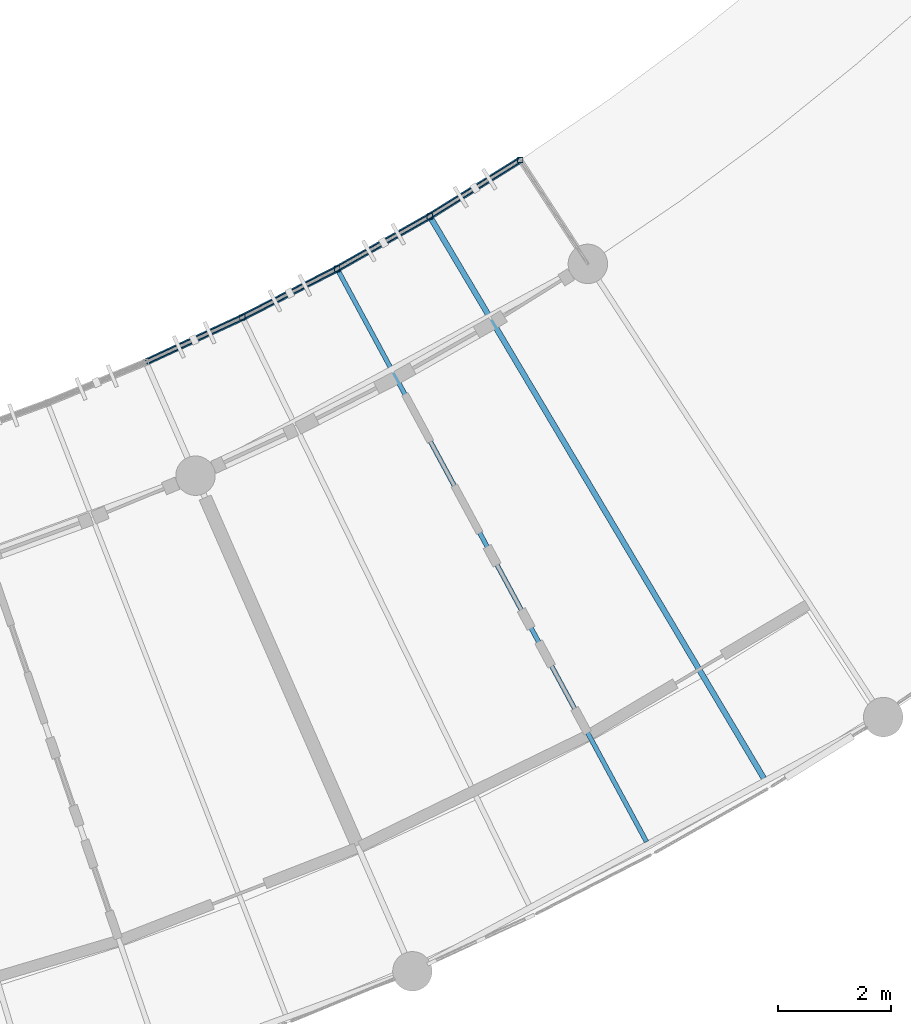
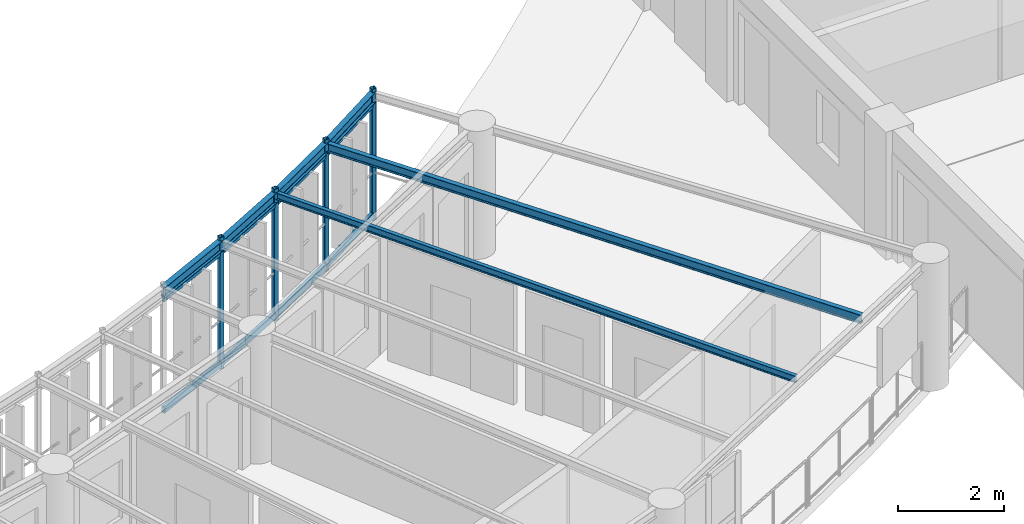
# One storey, part 32 of 137: 12 members, 6 beams.
"""IFC4 building model written with IfcOpenShell, lengths in metres."""

from ifc_helpers import new_model, si_unit, direction, frame, origin, origin_2d, place, context, subcontext, project, spatial, hollow_rectangle, i_section, extrude, material, material_profile, profile_set, type_object, element, save


model = new_model("IFC4")

# Units and contexts
model_context = context("Model", 3, precision=1e-05, world=origin(), true_north=direction((0.0, 1.0)))
body_context = subcontext(model_context, "Body", "Model", "MODEL_VIEW")
ifc_project = project(units=[si_unit("LENGTHUNIT", "METRE"), si_unit("AREAUNIT", "SQUARE_METRE"), si_unit("VOLUMEUNIT", "CUBIC_METRE"), si_unit("PLANEANGLEUNIT", "RADIAN"), si_unit("MASSUNIT", "GRAM", prefix="KILO"), si_unit("POWERUNIT", "WATT"), si_unit("THERMODYNAMICTEMPERATUREUNIT", "KELVIN")], contexts=[model_context])

# Site, building, storey
site_placement = place(None, origin())
site = spatial("IfcSite", under=ifc_project, at=site_placement, CompositionType="ELEMENT")
building_placement = place(site_placement, origin())
building = spatial("IfcBuilding", under=site, at=building_placement, Name="Ruvembo Vaulted Housing Court", CompositionType="ELEMENT")
storey_placement = place(building_placement, frame((0.0, 0.0, 4.5)))
storey = spatial("IfcBuildingStorey", under=building, at=storey_placement, Name="L01", CompositionType="ELEMENT", Elevation=4.5)

# Beams
ifc_material = material(Name="Steel S355J2", Category="steel")
ifc_material_profile_1 = material_profile(ifc_material, i_section(OverallWidth=0.08203125, OverallDepth=0.159912109375, WebThickness=0.0048828125, FlangeThickness=0.00732421875, FilletRadius=0.009033203125, at=origin_2d()), Name="IPE 160")
ifc_profile_set_1 = profile_set([ifc_material_profile_1], Name="Steel S355J2")
beam_type_1 = type_object("IfcBeamType", Name="BM-ST-IPE160", PredefinedType="JOIST", material=ifc_profile_set_1)
beam_1_placement = place(storey_placement, frame((96.2470703125, 11.53125, 2.860107421875), z_axis=(-0.475075222071, 0.87994518771, 0.0), x_axis=(-0.87994518771, -0.475075222071, 0.0)))
element("IfcBeam", 1, at=beam_1_placement, inside=storey, type_object=beam_type_1, Name="Scoop SC2 L01 Radial Steel Joist 26", PredefinedType="JOIST", context=body_context, shape_type="SweptSolid", body=[
    extrude(i_section(OverallWidth=0.08203125, OverallDepth=0.159912109375, WebThickness=0.0048828125, FlangeThickness=0.00732421875, FilletRadius=0.009033203125, at=origin_2d()), origin(), (0.0, 0.0, 1.0), 11.593994140625),
])
ifc_material_profile_2 = material_profile(ifc_material, i_section(OverallWidth=0.10009765625, OverallDepth=0.199951171875, WebThickness=0.005615234375, FlangeThickness=0.008544921875, FilletRadius=0.011962890625, at=origin_2d()), Name="IPE 200")
ifc_profile_set_2 = profile_set([ifc_material_profile_2], Name="Steel S355J2")
beam_type_2 = type_object("IfcBeamType", Name="BM-ST-IPE200", PredefinedType="BEAM", material=ifc_profile_set_2)
beam_2_placement = place(storey_placement, frame((98.330078125, 12.656005859375, 2.840087890625), z_axis=(-0.510954382563, 0.859607828571, 0.0), x_axis=(-0.859607828571, -0.510954382563, 0.0)))
element("IfcBeam", 2, at=beam_2_placement, inside=storey, type_object=beam_type_2, Name="Scoop SC2 L01 Radial Steel Joist 27", PredefinedType="BEAM", context=body_context, shape_type="SweptSolid", body=[
    extrude(i_section(OverallWidth=0.10009765625, OverallDepth=0.199951171875, WebThickness=0.005615234375, FlangeThickness=0.008544921875, FilletRadius=0.011962890625, at=origin_2d()), origin(), (0.0, 0.0, 1.0), 11.642822265625),
])
ifc_material_profile_3 = material_profile(ifc_material, i_section(OverallWidth=0.1201171875, OverallDepth=0.239990234375, WebThickness=0.006103515625, FlangeThickness=0.009765625, FilletRadius=0.014892578125, at=origin_2d()), Name="IPE 240")
ifc_profile_set_3 = profile_set([ifc_material_profile_3], Name="Steel S355J2")
beam_type_3 = type_object("IfcBeamType", Name="BM-ST-IPE240", PredefinedType="BEAM", material=ifc_profile_set_3)
for number, where, z_axis, x_axis, name in (
    (3, (87.362548828125, 20.042236328125, 2.820068359375), (0.907656578832, 0.419713634403, 0.0), (-0.419713634403, 0.907656578832, 0.0), "Scoop SC2 L01 Balcony Edge Spandrel 24"),
    (4, (89.077392578125, 20.835205078125, 2.820068359375), (0.889568437347, 0.45680192127, 0.0), (-0.45680192127, 0.889568437347, 0.0), "Scoop SC2 L01 Balcony Edge Spandrel 25"),
):
    element("IfcBeam", number, at=place(storey_placement, frame(where, z_axis=z_axis, x_axis=x_axis)), inside=storey, type_object=beam_type_3, Name=name, PredefinedType="BEAM", context=body_context, shape_type="SweptSolid", body=[
        extrude(i_section(OverallWidth=0.1201171875, OverallDepth=0.239990234375, WebThickness=0.006103515625, FlangeThickness=0.009765625, FilletRadius=0.014892578125, at=origin_2d()), origin(), (0.0, 0.0, 1.0), 1.889404296875),
    ])
for number, where, z_axis, x_axis, name in (
    (5, (90.758056640625, 21.6982421875, 2.820068359375), (0.869955662473, 0.493129947712, 0.0), (-0.493129947712, 0.869955662473, 0.0), "Scoop SC2 L01 Balcony Edge Spandrel 26"),
    (6, (92.401611328125, 22.6298828125, 2.820068359375), (0.848904567119, 0.52854615307, 0.0), (-0.52854615307, 0.848904567119, 0.0), "Scoop SC2 L01 Balcony Edge Spandrel 27"),
):
    element("IfcBeam", number, at=place(storey_placement, frame(where, z_axis=z_axis, x_axis=x_axis)), inside=storey, type_object=beam_type_3, Name=name, PredefinedType="BEAM", context=body_context, shape_type="SweptSolid", body=[
        extrude(i_section(OverallWidth=0.1201171875, OverallDepth=0.239990234375, WebThickness=0.006103515625, FlangeThickness=0.009765625, FilletRadius=0.014892578125, at=origin_2d()), origin(), (0.0, 0.0, 1.0), 1.88916015625),
    ])

# Members
ifc_material_profile_4 = material_profile(ifc_material, hollow_rectangle(XDim=0.06005859375, YDim=0.1201171875, WallThickness=0.0048828125, InnerFilletRadius=0.0048828125, OuterFilletRadius=0.010009765625, at=origin_2d()), Name="RHS 120x60x5")
ifc_profile_set_4 = profile_set([ifc_material_profile_4], Name="Steel S355J2")
member_type_1 = type_object("IfcMemberType", Name="MEM-CAR-RHS120", PredefinedType="CHORD", material=ifc_profile_set_4)
for number, where, z_axis, x_axis, name in (
    (7, (87.362548828125, 20.042236328125, 2.64306640625), (0.907656578832, 0.419713634403, 0.0), (-0.419713634403, 0.907656578832, 0.0), "Scoop SC2 L01 Upper Louvre Carrier Rail 24"),
    (8, (89.077392578125, 20.835205078125, 2.64306640625), (0.889568437347, 0.45680192127, 0.0), (-0.45680192127, 0.889568437347, 0.0), "Scoop SC2 L01 Upper Louvre Carrier Rail 25"),
):
    element("IfcMember", number, at=place(storey_placement, frame(where, z_axis=z_axis, x_axis=x_axis)), inside=storey, type_object=member_type_1, Name=name, PredefinedType="CHORD", context=body_context, shape_type="SweptSolid", body=[
        extrude(hollow_rectangle(XDim=0.06005859375, YDim=0.1201171875, WallThickness=0.0048828125, InnerFilletRadius=0.0048828125, OuterFilletRadius=0.010009765625, at=origin_2d()), origin(), (0.0, 0.0, 1.0), 1.889404296875),
    ])
for number, where, z_axis, x_axis, name in (
    (9, (90.758056640625, 21.6982421875, 2.64306640625), (0.869955662473, 0.493129947712, 0.0), (-0.493129947712, 0.869955662473, 0.0), "Scoop SC2 L01 Upper Louvre Carrier Rail 26"),
    (10, (92.401611328125, 22.6298828125, 2.64306640625), (0.848904567119, 0.52854615307, 0.0), (-0.52854615307, 0.848904567119, 0.0), "Scoop SC2 L01 Upper Louvre Carrier Rail 27"),
):
    element("IfcMember", number, at=place(storey_placement, frame(where, z_axis=z_axis, x_axis=x_axis)), inside=storey, type_object=member_type_1, Name=name, PredefinedType="CHORD", context=body_context, shape_type="SweptSolid", body=[
        extrude(hollow_rectangle(XDim=0.06005859375, YDim=0.1201171875, WallThickness=0.0048828125, InnerFilletRadius=0.0048828125, OuterFilletRadius=0.010009765625, at=origin_2d()), origin(), (0.0, 0.0, 1.0), 1.88916015625),
    ])
ifc_material_profile_5 = material_profile(ifc_material, hollow_rectangle(XDim=0.080078125, YDim=0.14990234375, WallThickness=0.00634765625, InnerFilletRadius=0.00634765625, OuterFilletRadius=0.0126953125, at=origin_2d()), Name="RHS 150x80x6.3")
ifc_profile_set_5 = profile_set([ifc_material_profile_5], Name="Steel S355J2")
member_type_2 = type_object("IfcMemberType", Name="MEM-CAR-RHS150", PredefinedType="CHORD", material=ifc_profile_set_5)
for number, where, z_axis, x_axis, name in (
    (11, (87.362548828125, 20.042236328125, 0.094970703125), (0.907656578832, 0.419713634403, 0.0), (-0.419713634403, 0.907656578832, 0.0), "Scoop SC2 L01 Lower Louvre Carrier Rail 24"),
    (12, (89.077392578125, 20.835205078125, 0.094970703125), (0.889568437347, 0.45680192127, 0.0), (-0.45680192127, 0.889568437347, 0.0), "Scoop SC2 L01 Lower Louvre Carrier Rail 25"),
):
    element("IfcMember", number, at=place(storey_placement, frame(where, z_axis=z_axis, x_axis=x_axis)), inside=storey, type_object=member_type_2, Name=name, PredefinedType="CHORD", context=body_context, shape_type="SweptSolid", body=[
        extrude(hollow_rectangle(XDim=0.080078125, YDim=0.14990234375, WallThickness=0.00634765625, InnerFilletRadius=0.00634765625, OuterFilletRadius=0.0126953125, at=origin_2d()), origin(), (0.0, 0.0, 1.0), 1.889404296875),
    ])
for number, where, z_axis, x_axis, name in (
    (13, (90.758056640625, 21.6982421875, 0.094970703125), (0.869955662473, 0.493129947712, 0.0), (-0.493129947712, 0.869955662473, 0.0), "Scoop SC2 L01 Lower Louvre Carrier Rail 26"),
    (14, (92.401611328125, 22.6298828125, 0.094970703125), (0.848904567119, 0.52854615307, 0.0), (-0.52854615307, 0.848904567119, 0.0), "Scoop SC2 L01 Lower Louvre Carrier Rail 27"),
):
    element("IfcMember", number, at=place(storey_placement, frame(where, z_axis=z_axis, x_axis=x_axis)), inside=storey, type_object=member_type_2, Name=name, PredefinedType="CHORD", context=body_context, shape_type="SweptSolid", body=[
        extrude(hollow_rectangle(XDim=0.080078125, YDim=0.14990234375, WallThickness=0.00634765625, InnerFilletRadius=0.00634765625, OuterFilletRadius=0.0126953125, at=origin_2d()), origin(), (0.0, 0.0, 1.0), 1.88916015625),
    ])
ifc_material_profile_6 = material_profile(ifc_material, hollow_rectangle(XDim=0.10009765625, YDim=0.10009765625, WallThickness=0.00634765625, InnerFilletRadius=0.00634765625, OuterFilletRadius=0.0126953125, at=origin_2d()), Name="SHS 100x100x6.3")
ifc_profile_set_6 = profile_set([ifc_material_profile_6], Name="Steel S355J2")
member_type_3 = type_object("IfcMemberType", Name="MEM-FRM-SHS100", PredefinedType="STRUT", material=ifc_profile_set_6)
for number, where, z_axis, x_axis, name in (
    (15, (89.077392578125, 20.835205078125, -0.014892578125), (0.0, 0.0, 1.0), (1.0, 0.0, 0.0), "Scoop SC2 L01 Louvre Frame Post 25"),
    (16, (90.758056640625, 21.6982421875, -0.014892578125), (0.0, 0.0, 1.0), (1.0, 0.0, 0.0), "Scoop SC2 L01 Louvre Frame Post 26"),
    (17, (92.401611328125, 22.6298828125, -0.014892578125), (0.0, 0.0, 1.0), (1.0, 0.0, 0.0), "Scoop SC2 L01 Louvre Frame Post 27"),
    (18, (94.00537109375, 23.62841796875, -0.014892578125), (0.0, 0.0, 1.0), (1.0, 0.0, 0.0), "Scoop SC2 L01 Louvre End Post"),
):
    element("IfcMember", number, at=place(storey_placement, frame(where, z_axis=z_axis, x_axis=x_axis)), inside=storey, type_object=member_type_3, Name=name, PredefinedType="STRUT", context=body_context, shape_type="SweptSolid", body=[
        extrude(hollow_rectangle(XDim=0.10009765625, YDim=0.10009765625, WallThickness=0.00634765625, InnerFilletRadius=0.00634765625, OuterFilletRadius=0.0126953125, at=origin_2d()), origin(), (0.0, 0.0, 1.0), 3.032958984375),
    ])

save(model, "model.ifc")
